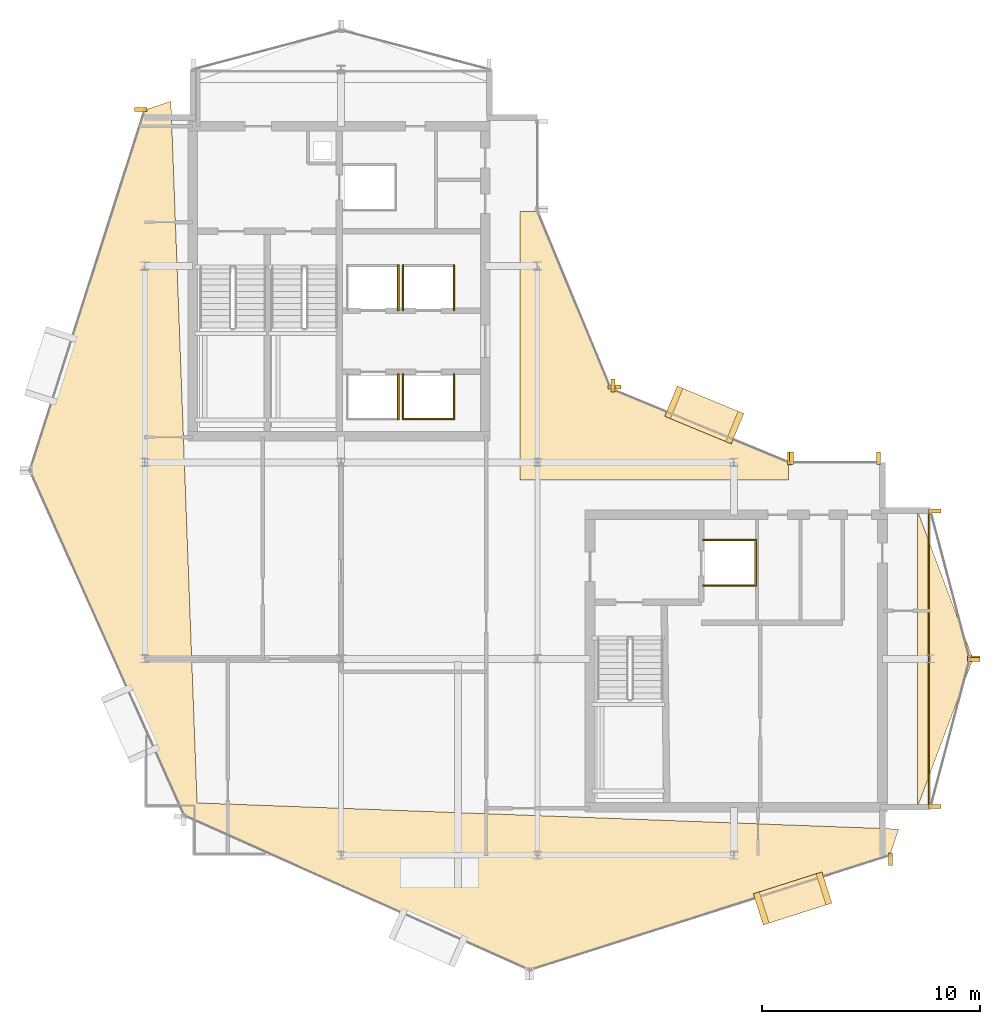
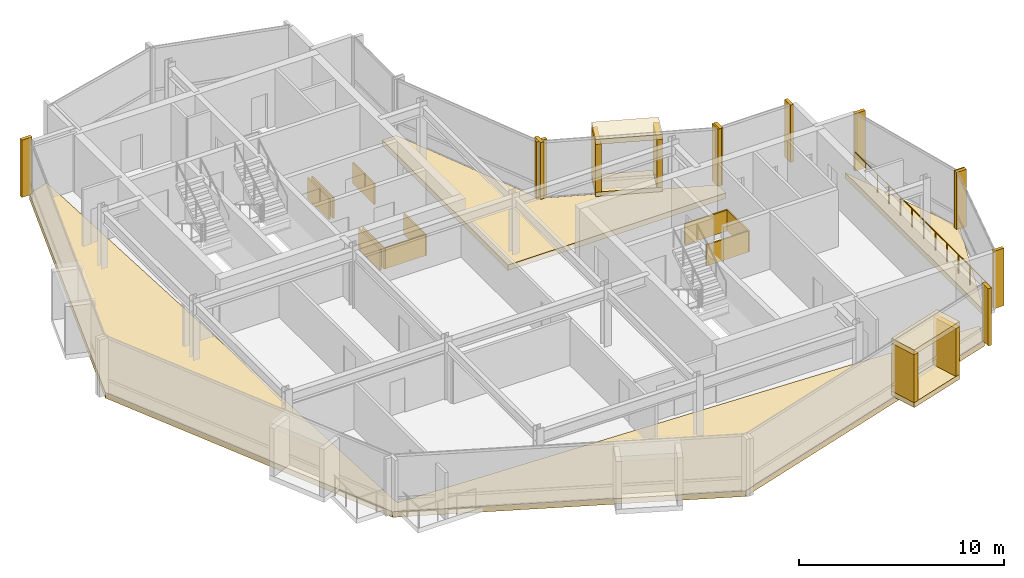
# One storey, part 18 of 19: 32 coverings, 1 railing.
"""IFC4 building model written with IfcOpenShell, lengths in metres."""

from ifc_helpers import new_model, si_unit, direction, frame, origin, origin_2d, place, context, subcontext, project, spatial, polyline, rectangle, circle, outline, extrude, material, layer, layer_set, type_object, element, save


model = new_model("IFC4")

# Units and contexts
model_context = context("Model", 3, precision=1e-05, world=origin(), true_north=direction((0.0, 1.0)))
body_context = subcontext(model_context, "Body", "Model", "MODEL_VIEW")
ifc_project = project(units=[si_unit("LENGTHUNIT", "METRE"), si_unit("AREAUNIT", "SQUARE_METRE"), si_unit("VOLUMEUNIT", "CUBIC_METRE"), si_unit("PLANEANGLEUNIT", "RADIAN"), si_unit("MASSUNIT", "GRAM", prefix="KILO")], contexts=[model_context])

# Site, building, storey
site_placement = place(None, origin())
site = spatial("IfcSite", under=ifc_project, at=site_placement, CompositionType="ELEMENT")
building_placement = place(site_placement, origin())
building = spatial("IfcBuilding", under=site, at=building_placement, Name="Solvaryn Broadcast Tower", CompositionType="ELEMENT")
storey_placement = place(building_placement, frame((0.0, 0.0, 277.800048828125)))
storey = spatial("IfcBuildingStorey", under=building, at=storey_placement, Name="L70", CompositionType="ELEMENT", Elevation=277.800048828125)

# Coverings
ifc_material_1 = material(Name="Fire-Rated Gypsum Shaftwall Liner", Category="concrete")
ifc_layer_1 = layer(ifc_material_1, 0.080078125)
ifc_layer_set_1 = layer_set([ifc_layer_1], Name="CV-SHAFT-LINER")
covering_type_1 = type_object("IfcCoveringType", Name="CV-SHAFT-LINER", PredefinedType="CLADDING", material=ifc_layer_set_1)
covering_1_placement = place(storey_placement, frame((20.614990234375, 30.0, 0.0), z_axis=(0.0, 0.0, 1.0), x_axis=(1.0, 0.0, 0.0)))
element("IfcCovering", 1, at=covering_1_placement, inside=storey, type_object=covering_type_1, Name="L70 PH1 Hoistway Shaft Liner East", PredefinedType="CLADDING", context=body_context, shape_type="SweptSolid", body=[
    extrude(rectangle(XDim=0.080078125, YDim=2.110107421875, at=origin_2d()), origin(), (0.0, 0.0, 1.0), 1.25),
])
covering_2_placement = place(storey_placement, frame((22.0, 28.985107421875, 0.0), z_axis=(0.0, 0.0, 1.0), x_axis=(1.0, 0.0, 0.0)))
element("IfcCovering", 2, at=covering_2_placement, inside=storey, type_object=covering_type_1, Name="L70 PH2 Hoistway Shaft Liner South", PredefinedType="CLADDING", context=body_context, shape_type="SweptSolid", body=[
    extrude(rectangle(XDim=2.409912109375, YDim=0.080078125, at=origin_2d()), origin(), (0.0, 0.0, 1.0), 1.25),
])
for number, where, z_axis, x_axis, name in (
    (3, (23.1650390625, 30.0, 0.0), (0.0, 0.0, 1.0), (1.0, 0.0, 0.0), "L70 PH2 Hoistway Shaft Liner East"),
    (4, (20.8349609375, 30.0, 0.0), (0.0, 0.0, 1.0), (1.0, 0.0, 0.0), "L70 PH2 Hoistway Shaft Liner West"),
    (5, (20.614990234375, 35.0, 0.0), (0.0, 0.0, 1.0), (1.0, 0.0, 0.0), "L70 PH3 Hoistway Shaft Liner East"),
    (6, (23.1650390625, 35.0, 0.0), (0.0, 0.0, 1.0), (1.0, 0.0, 0.0), "L70 PH4 Hoistway Shaft Liner East"),
    (7, (20.8349609375, 35.0, 0.0), (0.0, 0.0, 1.0), (1.0, 0.0, 0.0), "L70 PH4 Hoistway Shaft Liner West"),
):
    element("IfcCovering", number, at=place(storey_placement, frame(where, z_axis=z_axis, x_axis=x_axis)), inside=storey, type_object=covering_type_1, Name=name, PredefinedType="CLADDING", context=body_context, shape_type="SweptSolid", body=[
        extrude(rectangle(XDim=0.080078125, YDim=2.110107421875, at=origin_2d()), origin(), (0.0, 0.0, 1.0), 1.25),
    ])
for number, where, z_axis, x_axis, name in (
    (8, (35.800048828125, 23.43994140625, 0.0), (0.0, 0.0, 1.0), (1.0, 0.0, 0.0), "L70 FL2 Hoistway Shaft Liner North"),
    (9, (35.800048828125, 21.360107421875, 0.0), (0.0, 0.0, 1.0), (1.0, 0.0, 0.0), "L70 FL2 Hoistway Shaft Liner South"),
):
    element("IfcCovering", number, at=place(storey_placement, frame(where, z_axis=z_axis, x_axis=x_axis)), inside=storey, type_object=covering_type_1, Name=name, PredefinedType="CLADDING", context=body_context, shape_type="SweptSolid", body=[
        extrude(rectangle(XDim=2.4599609375, YDim=0.080078125, at=origin_2d()), origin(), (0.0, 0.0, 1.0), 1.25),
    ])
covering_3_placement = place(storey_placement, frame((36.989990234375, 22.39990234375, 0.0), z_axis=(0.0, 0.0, 1.0), x_axis=(1.0, 0.0, 0.0)))
element("IfcCovering", 10, at=covering_3_placement, inside=storey, type_object=covering_type_1, Name="L70 FL2 Hoistway Shaft Liner East", PredefinedType="CLADDING", context=body_context, shape_type="SweptSolid", body=[
    extrude(rectangle(XDim=0.080078125, YDim=2.159912109375, at=origin_2d()), origin(), (0.0, 0.0, 1.0), 1.25),
])
ifc_material_2 = material(Name="Glazed Architectural Terracotta Rainscreen Cladding", Category="masonry")
ifc_layer_2 = layer(ifc_material_2, 0.280029296875)
ifc_layer_set_2 = layer_set([ifc_layer_2], Name="CV-TC-CLAD")
covering_type_2 = type_object("IfcCoveringType", Name="CV-TC-CLAD", PredefinedType="CLADDING", material=ifc_layer_set_2)
for number, where, z_axis, x_axis, name in (
    (11, (38.68603515625, 7.02197265625, 3.1298828125), (0.0, 0.0, 1.0), (0.952820541996, 0.303534206887, 0.0), "L70 Projecting Stone Window Box Hood 4"),
    (12, (38.68603515625, 7.02197265625, -0.01025390625), (0.0, 0.0, 1.0), (0.952820541996, 0.303534206887, 0.0), "L70 Projecting Stone Window Box Sill 4"),
):
    element("IfcCovering", number, at=place(storey_placement, frame(where, z_axis=z_axis, x_axis=x_axis)), inside=storey, type_object=covering_type_2, Name=name, PredefinedType="CLADDING", context=body_context, shape_type="SweptSolid", body=[
        extrude(rectangle(XDim=3.300048828125, YDim=1.5, at=origin_2d()), origin(), (0.0, 0.0, 1.0), 0.300048828125),
    ])
for number, where, z_axis, x_axis, name in (
    (13, (37.247314453125, 6.563720703125, 0.27978515625), (0.0, 0.0, 1.0), (0.952820541996, 0.303534206887, 0.0), "L70 Projecting Stone Window Box Cheek 4-1"),
    (14, (40.124755859375, 7.480224609375, 0.27978515625), (0.0, 0.0, 1.0), (0.952820541996, 0.303534206887, 0.0), "L70 Projecting Stone Window Box Cheek 4-2"),
):
    element("IfcCovering", number, at=place(storey_placement, frame(where, z_axis=z_axis, x_axis=x_axis)), inside=storey, type_object=covering_type_2, Name=name, PredefinedType="CLADDING", context=body_context, shape_type="SweptSolid", body=[
        extrude(rectangle(XDim=0.280029296875, YDim=1.5, at=origin_2d()), origin(), (0.0, 0.0, 1.0), 2.860107421875),
    ])
for number, where, z_axis, x_axis, name in (
    (15, (34.636962890625, 29.174072265625, 3.1298828125), (0.0, 0.0, 1.0), (-0.923879532511, 0.382683432365, 0.0), "L70 Projecting Stone Window Box Hood 5"),
    (16, (34.636962890625, 29.174072265625, -0.01025390625), (0.0, 0.0, 1.0), (-0.923879532511, 0.382683432365, 0.0), "L70 Projecting Stone Window Box Sill 5"),
):
    element("IfcCovering", number, at=place(storey_placement, frame(where, z_axis=z_axis, x_axis=x_axis)), inside=storey, type_object=covering_type_2, Name=name, PredefinedType="CLADDING", context=body_context, shape_type="SweptSolid", body=[
        extrude(rectangle(XDim=3.300048828125, YDim=1.5, at=origin_2d()), origin(), (0.0, 0.0, 1.0), 0.300048828125),
    ])
for number, where, z_axis, x_axis, name in (
    (17, (36.031982421875, 28.59619140625, 0.27978515625), (0.0, 0.0, 1.0), (-0.923879532511, 0.382683432365, 0.0), "L70 Projecting Stone Window Box Cheek 5-1"),
    (18, (33.241943359375, 29.751953125, 0.27978515625), (0.0, 0.0, 1.0), (-0.923879532511, 0.382683432365, 0.0), "L70 Projecting Stone Window Box Cheek 5-2"),
):
    element("IfcCovering", number, at=place(storey_placement, frame(where, z_axis=z_axis, x_axis=x_axis)), inside=storey, type_object=covering_type_2, Name=name, PredefinedType="CLADDING", context=body_context, shape_type="SweptSolid", body=[
        extrude(rectangle(XDim=0.280029296875, YDim=1.5, at=origin_2d()), origin(), (0.0, 0.0, 1.0), 2.860107421875),
    ])
ifc_material_3 = material(Name="Extruded Architectural Terracotta Fin", Category="masonry")
ifc_layer_3 = layer(ifc_material_3, 0.179931640625)
ifc_layer_set_3 = layer_set([ifc_layer_3], Name="CV-TC-FIN")
covering_type_3 = type_object("IfcCoveringType", Name="CV-TC-FIN", PredefinedType="USERDEFINED", material=ifc_layer_set_3)
covering_4_placement = place(storey_placement, frame((8.819091796875, 43.17529296875, 0.0), z_axis=(0.0, 0.0, 1.0), x_axis=(1.0, 0.0, 0.0)))
element("IfcCovering", 19, at=covering_4_placement, inside=storey, type_object=covering_type_3, Name="L70 Terracotta Vertical Fin FIN-L70-DR1-M00", ObjectType="FIN", PredefinedType="USERDEFINED", context=body_context, shape_type="SweptSolid", body=[
    extrude(rectangle(XDim=0.580078125, YDim=0.179931640625, at=origin_2d()), origin(), (0.0, 0.0, 1.0), 3.419921875),
])
for number, where, z_axis, x_axis, name in (
    (20, (43.17529296875, 8.819091796875, 0.0), (0.0, 0.0, 1.0), (1.0, 0.0, 0.0), "L70 Terracotta Vertical Fin FIN-L70-DR4-M01"),
    (21, (38.541259765625, 27.177978515625, 0.0), (0.0, 0.0, 1.0), (1.0, 0.0, 0.0), "L70 Terracotta Vertical Fin FIN-L70-CN1-M00"),
    (22, (30.464599609375, 30.52294921875, 0.0), (0.0, 0.0, 1.0), (1.0, 0.0, 0.0), "L70 Terracotta Vertical Fin FIN-L70-CN1-M01"),
):
    element("IfcCovering", number, at=place(storey_placement, frame(where, z_axis=z_axis, x_axis=x_axis)), inside=storey, type_object=covering_type_3, Name=name, ObjectType="FIN", PredefinedType="USERDEFINED", context=body_context, shape_type="SweptSolid", body=[
        extrude(rectangle(XDim=0.179931640625, YDim=0.580078125, at=origin_2d()), origin(), (0.0, 0.0, 1.0), 3.419921875),
    ])
for number, where, z_axis, x_axis, name in (
    (23, (30.52294921875, 30.464599609375, 0.0), (0.0, 0.0, 1.0), (1.0, 0.0, 0.0), "L70 Terracotta Vertical Fin FIN-L70-CN2-M00"),
    (24, (45.1953125, 24.77099609375, 0.0), (0.0, 0.0, 1.0), (1.0, 0.0, 0.0), "L70 Terracotta Vertical Fin FIN-L70-ET1-M00"),
    (25, (46.979736328125, 18.029052734375, 0.0), (0.0, 0.0, 1.0), (1.0, 0.0, 0.0), "L70 Terracotta Vertical Fin FIN-L70-ET1-M01"),
    (26, (46.979736328125, 17.970947265625, 0.0), (0.0, 0.0, 1.0), (1.0, 0.0, 0.0), "L70 Terracotta Vertical Fin FIN-L70-ET2-M00"),
    (27, (45.1953125, 11.22900390625, 0.0), (0.0, 0.0, 1.0), (1.0, 0.0, 0.0), "L70 Terracotta Vertical Fin FIN-L70-ET2-M01"),
):
    element("IfcCovering", number, at=place(storey_placement, frame(where, z_axis=z_axis, x_axis=x_axis)), inside=storey, type_object=covering_type_3, Name=name, ObjectType="FIN", PredefinedType="USERDEFINED", context=body_context, shape_type="SweptSolid", body=[
        extrude(rectangle(XDim=0.580078125, YDim=0.179931640625, at=origin_2d()), origin(), (0.0, 0.0, 1.0), 3.419921875),
    ])
for number, where, z_axis, x_axis, name in (
    (28, (38.6298828125, 27.1875, 0.0), (0.0, 0.0, 1.0), (1.0, 0.0, 0.0), "L70 Terracotta Vertical Fin FIN-L70-IH-M00"),
    (29, (42.6201171875, 27.1875, 0.0), (0.0, 0.0, 1.0), (1.0, 0.0, 0.0), "L70 Terracotta Vertical Fin FIN-L70-IH-M01"),
):
    element("IfcCovering", number, at=place(storey_placement, frame(where, z_axis=z_axis, x_axis=x_axis)), inside=storey, type_object=covering_type_3, Name=name, ObjectType="FIN", PredefinedType="USERDEFINED", context=body_context, shape_type="SweptSolid", body=[
        extrude(rectangle(XDim=0.179931640625, YDim=0.580078125, at=origin_2d()), origin(), (0.0, 0.0, 1.0), 3.419921875),
    ])
ifc_material_4 = material(Name="Sculpted Architectural Terracotta Wave Fascia", Category="masonry")
ifc_layer_4 = layer(ifc_material_4, 0.340087890625)
ifc_layer_set_4 = layer_set([ifc_layer_4], Name="CV-WAVE-TRAY")
covering_type_4 = type_object("IfcCoveringType", Name="CV-WAVE-TRAY", PredefinedType="CLADDING", material=ifc_layer_set_4)
covering_5_placement = place(storey_placement, frame((0.0, 0.0, -0.300048828125)))
element("IfcCovering", 30, at=covering_5_placement, inside=storey, type_object=covering_type_4, Name="L70 Stepped Cylindrical Drum Floor Apron", PredefinedType="CLADDING", context=body_context, shape_type="SweptSolid", body=[
    extrude(outline(polyline([(10.199951171875, 43.549072265625), (9.0, 43.14892578125), (3.738037109375, 26.635986328125), (10.81689453125, 10.81689453125), (26.635986328125, 3.738037109375), (43.14892578125, 9.0), (43.14892578125, 9.0), (43.549072265625, 10.199951171875), (11.39990234375, 11.39990234375), (10.199951171875, 43.549072265625)])), origin(), (0.0, 0.0, 1.0), 0.330078125),
])
covering_6_placement = place(storey_placement, frame((0.0, 0.0, -0.300048828125)))
element("IfcCovering", 31, at=covering_6_placement, inside=storey, type_object=covering_type_4, Name="L70 Concave Canyon Floor Apron", PredefinedType="CLADDING", context=body_context, shape_type="SweptSolid", body=[
    extrude(outline(polyline([(26.199951171875, 26.199951171875), (38.5, 26.199951171875), (38.5, 27.0), (30.367919921875, 30.367919921875), (27.0, 38.5), (26.199951171875, 38.5), (26.199951171875, 26.199951171875)])), origin(), (0.0, 0.0, 1.0), 0.330078125),
])
covering_7_placement = place(storey_placement, frame((0.0, 0.0, -0.300048828125)))
element("IfcCovering", 32, at=covering_7_placement, inside=storey, type_object=covering_type_4, Name="L70 East Curved Wing Deck", PredefinedType="CLADDING", context=body_context, shape_type="SweptSolid", body=[
    extrude(outline(polyline([(44.39990234375, 11.199951171875), (46.949951171875, 18.0), (44.39990234375, 24.800048828125), (44.39990234375, 11.199951171875)])), origin(), (0.0, 0.0, 1.0), 0.330078125),
])

# Railing
ifc_material_5 = material(Name="Stainless Steel and Laminated Glass Guard", Category="steel")
railing_type = type_object("IfcRailingType", Name="RL-TER-1150", PredefinedType="BALUSTRADE", material=ifc_material_5)
railing_placement = place(storey_placement, frame((44.919921875, 11.199951171875, 0.0)))
element("IfcRailing", 33, at=railing_placement, inside=storey, type_object=railing_type, Name="L70 East Wing Spandrel Edge Guard", PredefinedType="BALUSTRADE", context=body_context, shape_type="SweptSolid", body=[
    extrude(circle(Radius=0.02392578125, at=origin_2d()), frame((0.0, 0.0, 1.1259765625), z_axis=(0.0, 1.0, 0.0), x_axis=(-1.0, 0.0, 0.0)), (0.0, 0.0, 1.0), 13.60009765625),
    extrude(circle(Radius=0.02099609375, at=origin_2d()), origin(), (0.0, 0.0, 1.0), 1.101806640625),
    extrude(circle(Radius=0.02099609375, at=origin_2d()), frame((0.0, 1.13330078125, 0.0)), (0.0, 0.0, 1.0), 1.101806640625),
    extrude(circle(Radius=0.02099609375, at=origin_2d()), frame((0.0, 2.2666015625, 0.0)), (0.0, 0.0, 1.0), 1.101806640625),
    extrude(circle(Radius=0.02099609375, at=origin_2d()), frame((0.0, 3.39990234375, 0.0)), (0.0, 0.0, 1.0), 1.101806640625),
    extrude(circle(Radius=0.02099609375, at=origin_2d()), frame((0.0, 4.533447265625, 0.0)), (0.0, 0.0, 1.0), 1.101806640625),
    extrude(circle(Radius=0.02099609375, at=origin_2d()), frame((0.0, 5.666748046875, 0.0)), (0.0, 0.0, 1.0), 1.101806640625),
    extrude(circle(Radius=0.02099609375, at=origin_2d()), frame((0.0, 6.800048828125, 0.0)), (0.0, 0.0, 1.0), 1.101806640625),
    extrude(circle(Radius=0.02099609375, at=origin_2d()), frame((0.0, 7.933349609375, 0.0)), (0.0, 0.0, 1.0), 1.101806640625),
    extrude(circle(Radius=0.02099609375, at=origin_2d()), frame((0.0, 9.066650390625, 0.0)), (0.0, 0.0, 1.0), 1.101806640625),
    extrude(circle(Radius=0.02099609375, at=origin_2d()), frame((0.0, 10.2001953125, 0.0)), (0.0, 0.0, 1.0), 1.101806640625),
    extrude(circle(Radius=0.02099609375, at=origin_2d()), frame((0.0, 11.33349609375, 0.0)), (0.0, 0.0, 1.0), 1.101806640625),
    extrude(circle(Radius=0.02099609375, at=origin_2d()), frame((0.0, 12.466796875, 0.0)), (0.0, 0.0, 1.0), 1.101806640625),
    extrude(circle(Radius=0.02099609375, at=origin_2d()), frame((0.0, 13.60009765625, 0.0)), (0.0, 0.0, 1.0), 1.101806640625),
])

save(model, "model.ifc")
